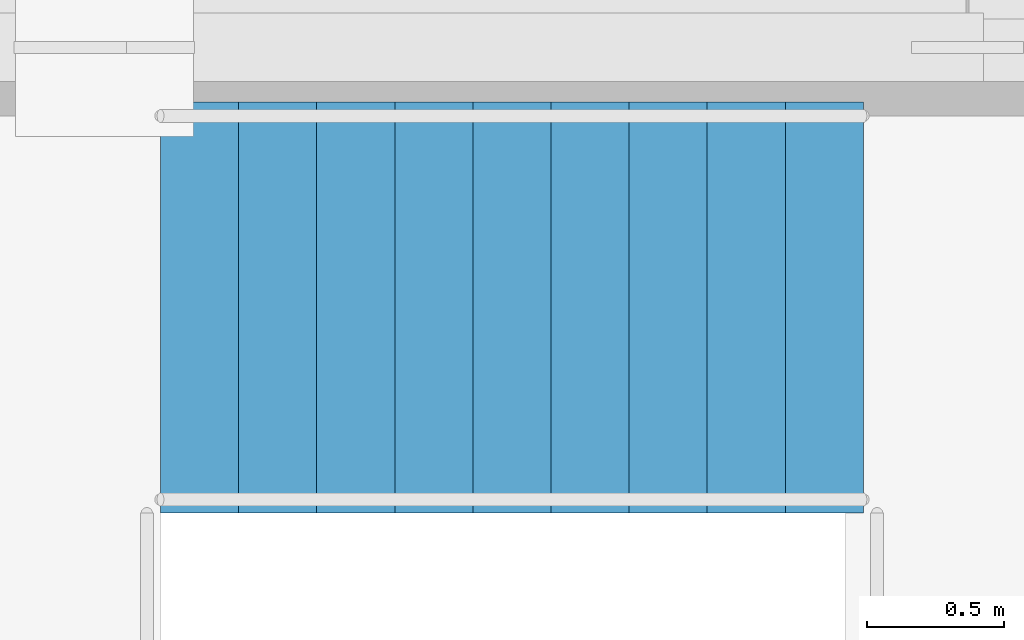
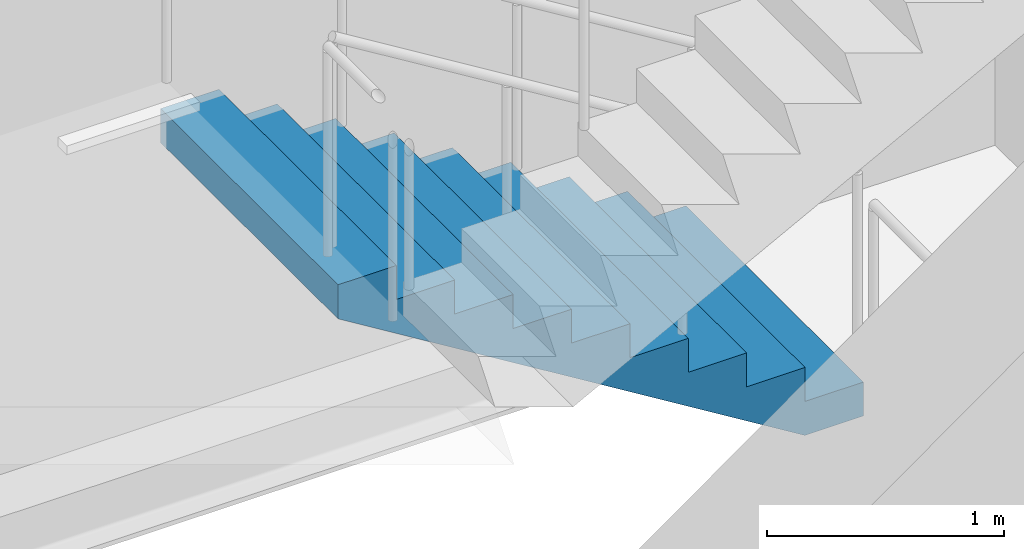
# One storey, part 23 of 24: 1 stair flight, 1 element without a shape of its own.
"""IFC4 building model written with IfcOpenShell, lengths in metres."""

from ifc_helpers import new_model, si_unit, direction, frame, origin, place, context, subcontext, project, spatial, polyline, outline, extrude, material, type_object, element, aggregate, save


model = new_model("IFC4")

# Units and contexts
model_context = context("Model", 3, precision=1e-05, world=origin(), true_north=direction((0.0, 1.0)))
body_context = subcontext(model_context, "Body", "Model", "MODEL_VIEW")
ifc_project = project(units=[si_unit("LENGTHUNIT", "METRE"), si_unit("AREAUNIT", "SQUARE_METRE"), si_unit("VOLUMEUNIT", "CUBIC_METRE"), si_unit("PLANEANGLEUNIT", "RADIAN"), si_unit("MASSUNIT", "GRAM", prefix="KILO")], contexts=[model_context])

# Site, building, storey
site_placement = place(None, origin())
site = spatial("IfcSite", under=ifc_project, at=site_placement, CompositionType="ELEMENT")
building_placement = place(site_placement, origin())
building = spatial("IfcBuilding", under=site, at=building_placement, Name="Cobrela Telecom Tower", CompositionType="ELEMENT")
storey_placement = place(building_placement, frame((0.0, 0.0, 244.64990234375)))
storey = spatial("IfcBuildingStorey", under=building, at=storey_placement, Name="L63", CompositionType="ELEMENT", Elevation=244.64990234375)

# Stair, stair flight
ifc_material = material(Name="Concrete C40/50", Category="concrete")
stair_type = type_object("IfcStairType", Name="STAIR-CORE", PredefinedType="HALF_TURN_STAIR", material=ifc_material)
stair_placement = place(storey_placement, origin())
stair = element("IfcStair", 1, at=stair_placement, inside=storey, type_object=stair_type, Name="L63 Smokeproof Exit Stair ST1", PredefinedType="HALF_TURN_STAIR")
stair_flight_type = type_object("IfcStairFlightType", Name="FLIGHT-CORE", PredefinedType="STRAIGHT", material=ifc_material)
stair_flight_placement = place(storey_placement, frame((6.820068359375, 34.800048828125, 0.0), z_axis=(0.0, 0.0, 1.0), x_axis=(-1.0, 0.0, 0.0)))
stair_flight = element("IfcStairFlight", 2, at=stair_flight_placement, type_object=stair_flight_type, Name="ST1 flight 1", NumberOfRisers=10, NumberOfTreads=9, PredefinedType="STRAIGHT", RiserHeight=0.175, TreadLength=0.285, context=body_context, shape_type="SweptSolid", body=[
    extrude(outline(polyline([(0.0, 0.0), (0.0, 0.175048828125), (0.284912109375, 0.175048828125), (0.284912109375, 0.35009765625), (0.570068359375, 0.35009765625), (0.570068359375, 0.52490234375), (0.85498046875, 0.52490234375), (0.85498046875, 0.699951171875), (1.139892578125, 0.699951171875), (1.139892578125, 0.875), (1.425048828125, 0.875), (1.425048828125, 1.050048828125), (1.7099609375, 1.050048828125), (1.7099609375, 1.22509765625), (1.9951171875, 1.22509765625), (1.9951171875, 1.39990234375), (2.280029296875, 1.39990234375), (2.280029296875, 1.574951171875), (2.56494140625, 1.574951171875), (2.56494140625, 1.75), (2.56494140625, 1.399169921875), (0.286376953125, 0.0), (0.0, 0.0)])), frame((0.0, 0.75, 0.0), z_axis=(0.0, -1.0, 0.0), x_axis=(1.0, 0.0, 0.0)), (0.0, 0.0, 1.0), 1.5),
])
aggregate(stair, [stair_flight])

save(model, "model.ifc")
